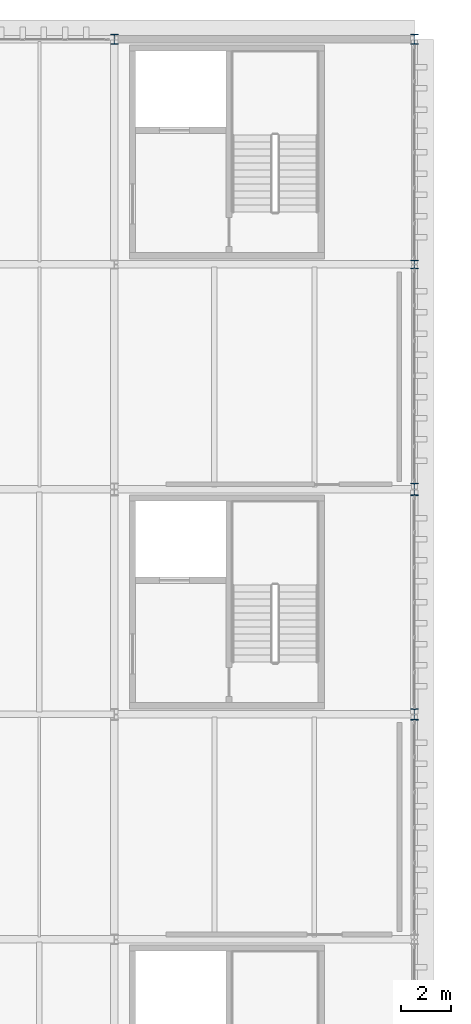
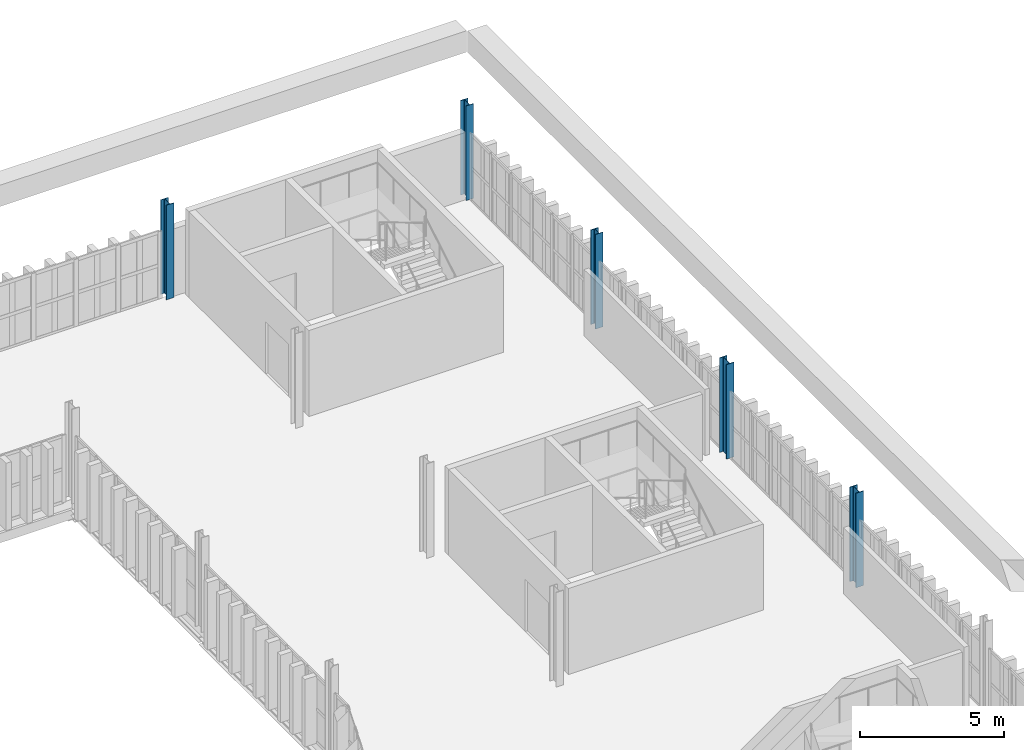
# One storey, part 12 of 102: 5 columns.
"""IFC4 building model written with IfcOpenShell, lengths in metres."""

from ifc_helpers import new_model, si_unit, direction, frame, origin, origin_2d, place, context, subcontext, project, spatial, i_section, extrude, material, material_profile, profile_set, type_object, element, save


model = new_model("IFC4")

# Units and contexts
model_context = context("Model", 3, precision=1e-05, world=origin(), true_north=direction((0.0, 1.0)))
body_context = subcontext(model_context, "Body", "Model", "MODEL_VIEW")
ifc_project = project(units=[si_unit("LENGTHUNIT", "METRE"), si_unit("AREAUNIT", "SQUARE_METRE"), si_unit("VOLUMEUNIT", "CUBIC_METRE"), si_unit("PLANEANGLEUNIT", "RADIAN"), si_unit("MASSUNIT", "GRAM", prefix="KILO")], contexts=[model_context])

# Site, building, storey
site_placement = place(None, origin())
site = spatial("IfcSite", under=ifc_project, at=site_placement, CompositionType="ELEMENT")
building_placement = place(site_placement, origin())
building = spatial("IfcBuilding", under=site, at=building_placement, Name="Barlavento Convention Centre", CompositionType="ELEMENT")
storey_placement = place(building_placement, frame((0.0, 0.0, 22.800048828125)))
storey = spatial("IfcBuildingStorey", under=building, at=storey_placement, Name="L04", CompositionType="ELEMENT", Elevation=22.800048828125)

# Columns
ifc_material = material(Name="Steel S355", Category="steel")
ifc_material_profile_1 = material_profile(ifc_material, i_section(OverallWidth=0.300048828125, OverallDepth=0.340087890625, WebThickness=0.011962890625, FlangeThickness=0.021484375, FilletRadius=0.027099609375, at=origin_2d()), Name="HEB 340")
ifc_profile_set_1 = profile_set([ifc_material_profile_1], Name="Steel S355")
column_type_1 = type_object("IfcColumnType", Name="STR-COL-HEB340", PredefinedType="COLUMN", material=ifc_profile_set_1)
column_1_placement = place(storey_placement, frame((192.0, 90.0, 0.0), z_axis=(0.0, 0.0, 1.0), x_axis=(1.0, 0.0, 0.0)))
element("IfcColumn", 1, at=column_1_placement, inside=storey, type_object=column_type_1, Name="L04 column SC12", PredefinedType="COLUMN", context=body_context, shape_type="SweptSolid", body=[
    extrude(i_section(OverallWidth=0.300048828125, OverallDepth=0.340087890625, WebThickness=0.011962890625, FlangeThickness=0.021484375, FilletRadius=0.027099609375, at=origin_2d()), origin(), (0.0, 0.0, 1.0), 4.0),
])
ifc_material_profile_2 = material_profile(ifc_material, i_section(OverallWidth=0.300048828125, OverallDepth=0.39990234375, WebThickness=0.013427734375, FlangeThickness=0.02392578125, FilletRadius=0.027099609375, at=origin_2d()), Name="HEB 400")
ifc_profile_set_2 = profile_set([ifc_material_profile_2], Name="Steel S355")
column_type_2 = type_object("IfcColumnType", Name="STR-COL-HEB400", PredefinedType="COLUMN", material=ifc_profile_set_2)
for number, where, z_axis, x_axis, name in (
    (2, (180.0, 99.0, 0.0), (0.0, 0.0, 1.0), (1.0, 0.0, 0.0), "L04 column SC11"),
    (3, (192.0, 99.0, 0.0), (0.0, 0.0, 1.0), (1.0, 0.0, 0.0), "L04 column SC11"),
):
    element("IfcColumn", number, at=place(storey_placement, frame(where, z_axis=z_axis, x_axis=x_axis)), inside=storey, type_object=column_type_2, Name=name, PredefinedType="COLUMN", context=body_context, shape_type="SweptSolid", body=[
        extrude(i_section(OverallWidth=0.300048828125, OverallDepth=0.39990234375, WebThickness=0.013427734375, FlangeThickness=0.02392578125, FilletRadius=0.027099609375, at=origin_2d()), origin(), (0.0, 0.0, 1.0), 4.0),
    ])
ifc_material_profile_3 = material_profile(ifc_material, i_section(OverallWidth=0.300048828125, OverallDepth=0.449951171875, WebThickness=0.013916015625, FlangeThickness=0.02587890625, FilletRadius=0.027099609375, at=origin_2d()), Name="HEB 450")
ifc_profile_set_3 = profile_set([ifc_material_profile_3], Name="Steel S355")
column_type_3 = type_object("IfcColumnType", Name="STR-COL-HEB450", PredefinedType="COLUMN", material=ifc_profile_set_3)
column_2_placement = place(storey_placement, frame((192.0, 72.0, 0.0), z_axis=(0.0, 0.0, 1.0), x_axis=(1.0, 0.0, 0.0)))
element("IfcColumn", 4, at=column_2_placement, inside=storey, type_object=column_type_3, Name="L04 column SC10", PredefinedType="COLUMN", context=body_context, shape_type="SweptSolid", body=[
    extrude(i_section(OverallWidth=0.300048828125, OverallDepth=0.449951171875, WebThickness=0.013916015625, FlangeThickness=0.02587890625, FilletRadius=0.027099609375, at=origin_2d()), origin(), (0.0, 0.0, 1.0), 4.0),
])
ifc_material_profile_4 = material_profile(ifc_material, i_section(OverallWidth=0.300048828125, OverallDepth=0.5, WebThickness=0.014404296875, FlangeThickness=0.028076171875, FilletRadius=0.027099609375, at=origin_2d()), Name="HEB 500")
ifc_profile_set_4 = profile_set([ifc_material_profile_4], Name="Steel S355")
column_type_4 = type_object("IfcColumnType", Name="STR-COL-HEB500", PredefinedType="COLUMN", material=ifc_profile_set_4)
column_3_placement = place(storey_placement, frame((192.0, 81.0, 0.0), z_axis=(0.0, 0.0, 1.0), x_axis=(1.0, 0.0, 0.0)))
element("IfcColumn", 5, at=column_3_placement, inside=storey, type_object=column_type_4, Name="L04 column SC09", PredefinedType="COLUMN", context=body_context, shape_type="SweptSolid", body=[
    extrude(i_section(OverallWidth=0.300048828125, OverallDepth=0.5, WebThickness=0.014404296875, FlangeThickness=0.028076171875, FilletRadius=0.027099609375, at=origin_2d()), origin(), (0.0, 0.0, 1.0), 4.0),
])

save(model, "model.ifc")
